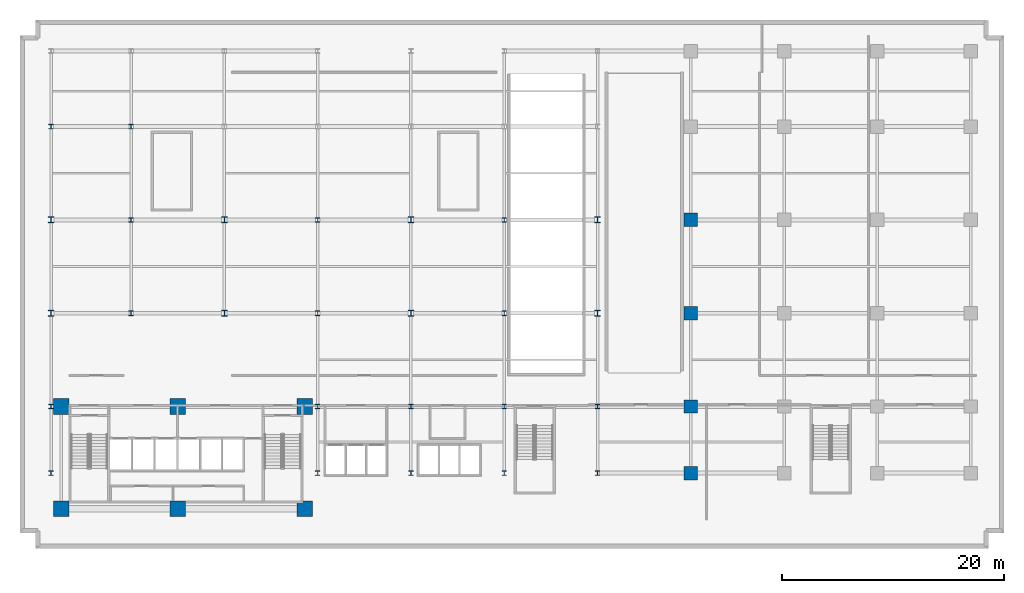
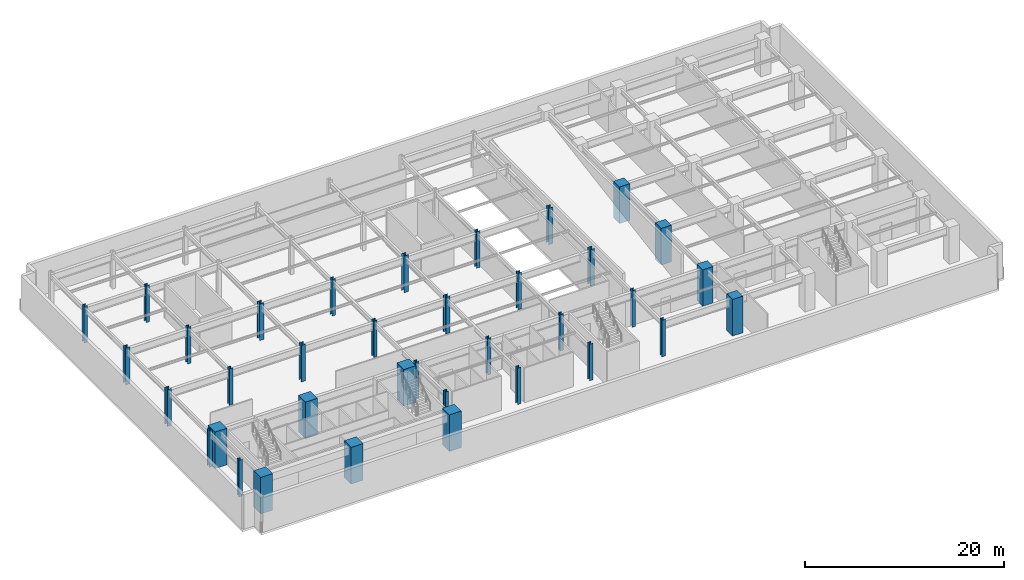
# One storey, part 1 of 14: 36 columns.
"""IFC4 building model written with IfcOpenShell, lengths in metres."""

from ifc_helpers import new_model, si_unit, direction, frame, origin, origin_2d, place, context, subcontext, project, spatial, rectangle, i_section, extrude, material, material_profile, profile_set, type_object, element, save


model = new_model("IFC4")

# Units and contexts
model_context = context("Model", 3, precision=1e-05, world=origin(), true_north=direction((0.0, 1.0)))
body_context = subcontext(model_context, "Body", "Model", "MODEL_VIEW")
ifc_project = project(units=[si_unit("LENGTHUNIT", "METRE"), si_unit("AREAUNIT", "SQUARE_METRE"), si_unit("VOLUMEUNIT", "CUBIC_METRE"), si_unit("PLANEANGLEUNIT", "RADIAN"), si_unit("MASSUNIT", "GRAM", prefix="KILO")], contexts=[model_context])

# Site, building, storey
site_placement = place(None, origin())
site = spatial("IfcSite", under=ifc_project, at=site_placement, CompositionType="ELEMENT")
building_placement = place(site_placement, origin())
building = spatial("IfcBuilding", under=site, at=building_placement, Name="Varnakote Quay Hospital", CompositionType="ELEMENT")
storey_placement = place(building_placement, frame((0.0, 0.0, -4.5)))
storey = spatial("IfcBuildingStorey", under=building, at=storey_placement, Name="B01", CompositionType="ELEMENT", Elevation=-4.5)

# Columns
ifc_material_1 = material(Name="Concrete N80 (f'c 80 MPa)", Category="concrete")
ifc_material_profile_1 = material_profile(ifc_material_1, rectangle(XDim=1.199951171875, YDim=1.199951171875, at=origin_2d()), Name="RC-COL-1200x1200")
ifc_profile_set_1 = profile_set([ifc_material_profile_1], Name="Concrete N80 (f'c 80 MPa)")
column_type_1 = type_object("IfcColumnType", Name="COL-RC-1200", PredefinedType="COLUMN", material=ifc_profile_set_1)
for number, where, z_axis, x_axis, name in (
    (1, (58.800048828125, 6.0, 0.0), (0.0, 0.0, 1.0), (1.0, 0.0, 0.0), "B01 Structural Column C-59-6"),
    (2, (58.800048828125, 12.0, 0.0), (0.0, 0.0, 1.0), (1.0, 0.0, 0.0), "B01 Structural Column C-59-12"),
    (3, (58.800048828125, 20.39990234375, 0.0), (0.0, 0.0, 1.0), (1.0, 0.0, 0.0), "B01 Structural Column C-59-20"),
    (4, (58.800048828125, 28.800048828125, 0.0), (0.0, 0.0, 1.0), (1.0, 0.0, 0.0), "B01 Structural Column C-59-29"),
):
    element("IfcColumn", number, at=place(storey_placement, frame(where, z_axis=z_axis, x_axis=x_axis)), inside=storey, type_object=column_type_1, Name=name, PredefinedType="COLUMN", context=body_context, shape_type="SweptSolid", body=[
        extrude(rectangle(XDim=1.199951171875, YDim=1.199951171875, at=origin_2d()), origin(), (0.0, 0.0, 1.0), 4.5),
    ])
ifc_material_2 = material(Name="Concrete N80 (f'c 80 MPa)", Category="concrete")
ifc_material_profile_2 = material_profile(ifc_material_2, rectangle(XDim=1.39990234375, YDim=1.39990234375, at=origin_2d()), Name="RC-COL-1400x1400")
ifc_profile_set_2 = profile_set([ifc_material_profile_2], Name="Concrete N80 (f'c 80 MPa)")
column_type_2 = type_object("IfcColumnType", Name="COL-RC-1400", PredefinedType="COLUMN", material=ifc_profile_set_2)
for number, where, z_axis, x_axis, name in (
    (5, (2.10009765625, 2.800048828125, 0.0), (0.0, 0.0, 1.0), (1.0, 0.0, 0.0), "B01 Structural Column C-2-3"),
    (6, (12.6201171875, 2.800048828125, 0.0), (0.0, 0.0, 1.0), (1.0, 0.0, 0.0), "B01 Structural Column C-13-3"),
    (7, (24.050048828125, 2.800048828125, 0.0), (0.0, 0.0, 1.0), (1.0, 0.0, 0.0), "B01 Structural Column C-24-3"),
    (8, (2.10009765625, 12.0, 0.0), (0.0, 0.0, 1.0), (1.0, 0.0, 0.0), "B01 Structural Column C-2-12"),
    (9, (12.6201171875, 12.0, 0.0), (0.0, 0.0, 1.0), (1.0, 0.0, 0.0), "B01 Structural Column C-13-12"),
    (10, (24.050048828125, 12.0, 0.0), (0.0, 0.0, 1.0), (1.0, 0.0, 0.0), "B01 Structural Column C-24-12"),
):
    element("IfcColumn", number, at=place(storey_placement, frame(where, z_axis=z_axis, x_axis=x_axis)), inside=storey, type_object=column_type_2, Name=name, PredefinedType="COLUMN", context=body_context, shape_type="SweptSolid", body=[
        extrude(rectangle(XDim=1.39990234375, YDim=1.39990234375, at=origin_2d()), origin(), (0.0, 0.0, 1.0), 4.5),
    ])
ifc_material_3 = material(Name="Structural steel AS/NZS 3678 Grade 350 (fy 340 MPa)", Category="steel")
ifc_material_profile_3 = material_profile(ifc_material_3, i_section(OverallWidth=0.39990234375, OverallDepth=0.419921875, WebThickness=0.02490234375, FlangeThickness=0.0400390625, at=origin_2d()), Name="400WC328")
ifc_profile_set_3 = profile_set([ifc_material_profile_3], Name="Structural steel AS/NZS 3678 Grade 350 (fy 340 MPa)")
column_type_3 = type_object("IfcColumnType", Name="COL-STL-400WC328", PredefinedType="COLUMN", material=ifc_profile_set_3)
for number, where, z_axis, x_axis, name in (
    (11, (1.199951171875, 6.0, 0.0), (0.0, 0.0, 1.0), (1.0, 0.0, 0.0), "B01 Structural Column C-1-6"),
    (12, (25.199951171875, 6.0, 0.0), (0.0, 0.0, 1.0), (1.0, 0.0, 0.0), "B01 Structural Column C-25-6"),
    (13, (33.60009765625, 6.0, 0.0), (0.0, 0.0, 1.0), (1.0, 0.0, 0.0), "B01 Structural Column C-34-6"),
    (14, (42.0, 6.0, 0.0), (0.0, 0.0, 1.0), (1.0, 0.0, 0.0), "B01 Structural Column C-42-6"),
    (15, (50.39990234375, 6.0, 0.0), (0.0, 0.0, 1.0), (1.0, 0.0, 0.0), "B01 Structural Column C-50-6"),
    (16, (1.199951171875, 12.0, 0.0), (0.0, 0.0, 1.0), (1.0, 0.0, 0.0), "B01 Structural Column C-1-12"),
    (17, (25.199951171875, 12.0, 0.0), (0.0, 0.0, 1.0), (1.0, 0.0, 0.0), "B01 Structural Column C-25-12"),
    (18, (33.60009765625, 12.0, 0.0), (0.0, 0.0, 1.0), (1.0, 0.0, 0.0), "B01 Structural Column C-34-12"),
    (19, (42.0, 12.0, 0.0), (0.0, 0.0, 1.0), (1.0, 0.0, 0.0), "B01 Structural Column C-42-12"),
    (20, (50.39990234375, 12.0, 0.0), (0.0, 0.0, 1.0), (1.0, 0.0, 0.0), "B01 Structural Column C-50-12"),
    (21, (8.39990234375, 20.39990234375, 0.0), (0.0, 0.0, 1.0), (1.0, 0.0, 0.0), "B01 Structural Column C-8-20"),
    (22, (25.199951171875, 20.39990234375, 0.0), (0.0, 0.0, 1.0), (1.0, 0.0, 0.0), "B01 Structural Column C-25-20"),
    (23, (42.0, 20.39990234375, 0.0), (0.0, 0.0, 1.0), (1.0, 0.0, 0.0), "B01 Structural Column C-42-20"),
    (24, (8.39990234375, 28.800048828125, 0.0), (0.0, 0.0, 1.0), (1.0, 0.0, 0.0), "B01 Structural Column C-8-29"),
    (25, (25.199951171875, 28.800048828125, 0.0), (0.0, 0.0, 1.0), (1.0, 0.0, 0.0), "B01 Structural Column C-25-29"),
    (26, (42.0, 28.800048828125, 0.0), (0.0, 0.0, 1.0), (1.0, 0.0, 0.0), "B01 Structural Column C-42-29"),
    (27, (1.199951171875, 37.199951171875, 0.0), (0.0, 0.0, 1.0), (1.0, 0.0, 0.0), "B01 Structural Column C-1-37"),
    (28, (8.39990234375, 37.199951171875, 0.0), (0.0, 0.0, 1.0), (1.0, 0.0, 0.0), "B01 Structural Column C-8-37"),
):
    element("IfcColumn", number, at=place(storey_placement, frame(where, z_axis=z_axis, x_axis=x_axis)), inside=storey, type_object=column_type_3, Name=name, PredefinedType="COLUMN", context=body_context, shape_type="SweptSolid", body=[
        extrude(i_section(OverallWidth=0.39990234375, OverallDepth=0.419921875, WebThickness=0.02490234375, FlangeThickness=0.0400390625, at=origin_2d()), origin(), (0.0, 0.0, 1.0), 4.5),
    ])
ifc_material_4 = material(Name="Structural steel AS/NZS 3678 Grade 350 (fy 340 MPa)", Category="steel")
ifc_material_profile_4 = material_profile(ifc_material_4, i_section(OverallWidth=0.5, OverallDepth=0.530029296875, WebThickness=0.028076171875, FlangeThickness=0.044921875, at=origin_2d()), Name="500WC440")
ifc_profile_set_4 = profile_set([ifc_material_profile_4], Name="Structural steel AS/NZS 3678 Grade 350 (fy 340 MPa)")
column_type_4 = type_object("IfcColumnType", Name="COL-STL-500WC440", PredefinedType="COLUMN", material=ifc_profile_set_4)
for number, where, z_axis, x_axis, name in (
    (29, (1.199951171875, 20.39990234375, 0.0), (0.0, 0.0, 1.0), (1.0, 0.0, 0.0), "B01 Structural Column C-1-20"),
    (30, (16.800048828125, 20.39990234375, 0.0), (0.0, 0.0, 1.0), (1.0, 0.0, 0.0), "B01 Structural Column C-17-20"),
    (31, (33.60009765625, 20.39990234375, 0.0), (0.0, 0.0, 1.0), (1.0, 0.0, 0.0), "B01 Structural Column C-34-20"),
    (32, (50.39990234375, 20.39990234375, 0.0), (0.0, 0.0, 1.0), (1.0, 0.0, 0.0), "B01 Structural Column C-50-20"),
    (33, (1.199951171875, 28.800048828125, 0.0), (0.0, 0.0, 1.0), (1.0, 0.0, 0.0), "B01 Structural Column C-1-29"),
    (34, (16.800048828125, 28.800048828125, 0.0), (0.0, 0.0, 1.0), (1.0, 0.0, 0.0), "B01 Structural Column C-17-29"),
    (35, (33.60009765625, 28.800048828125, 0.0), (0.0, 0.0, 1.0), (1.0, 0.0, 0.0), "B01 Structural Column C-34-29"),
    (36, (50.39990234375, 28.800048828125, 0.0), (0.0, 0.0, 1.0), (1.0, 0.0, 0.0), "B01 Structural Column C-50-29"),
):
    element("IfcColumn", number, at=place(storey_placement, frame(where, z_axis=z_axis, x_axis=x_axis)), inside=storey, type_object=column_type_4, Name=name, PredefinedType="COLUMN", context=body_context, shape_type="SweptSolid", body=[
        extrude(i_section(OverallWidth=0.5, OverallDepth=0.530029296875, WebThickness=0.028076171875, FlangeThickness=0.044921875, at=origin_2d()), origin(), (0.0, 0.0, 1.0), 4.5),
    ])

save(model, "model.ifc")
